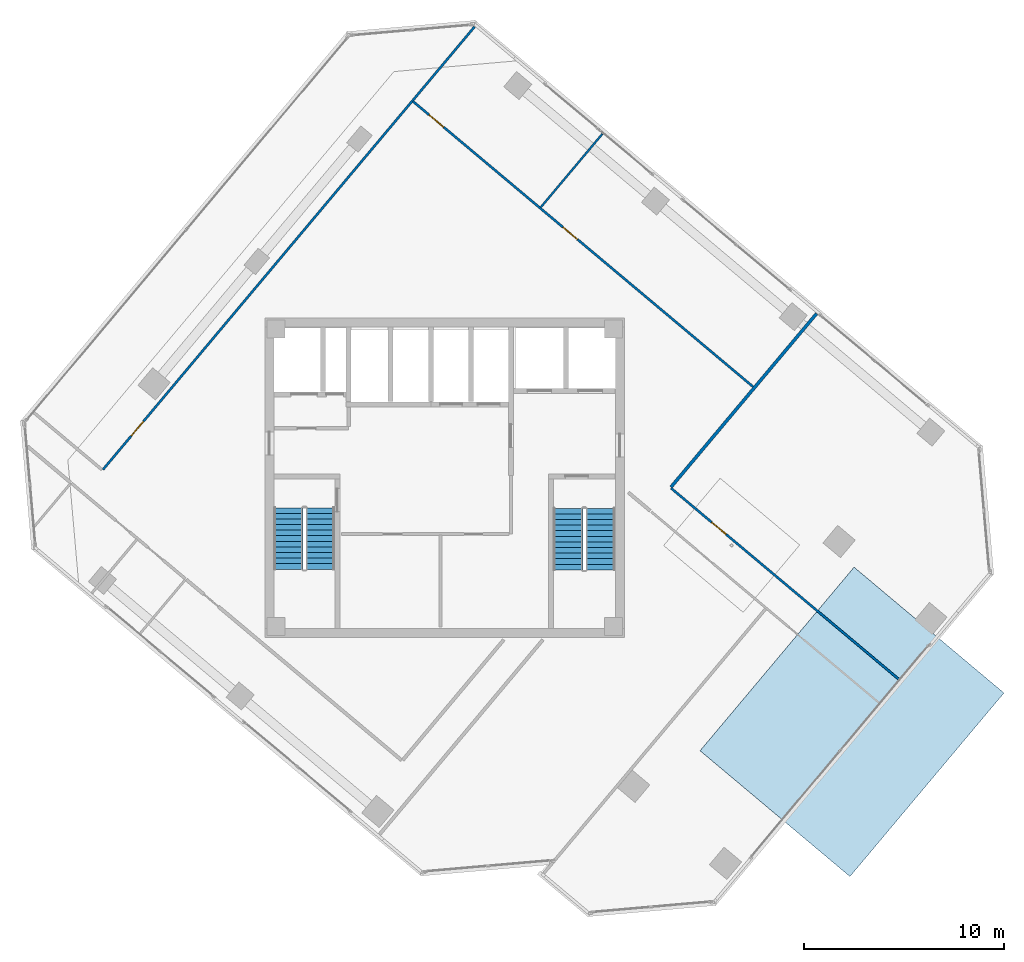
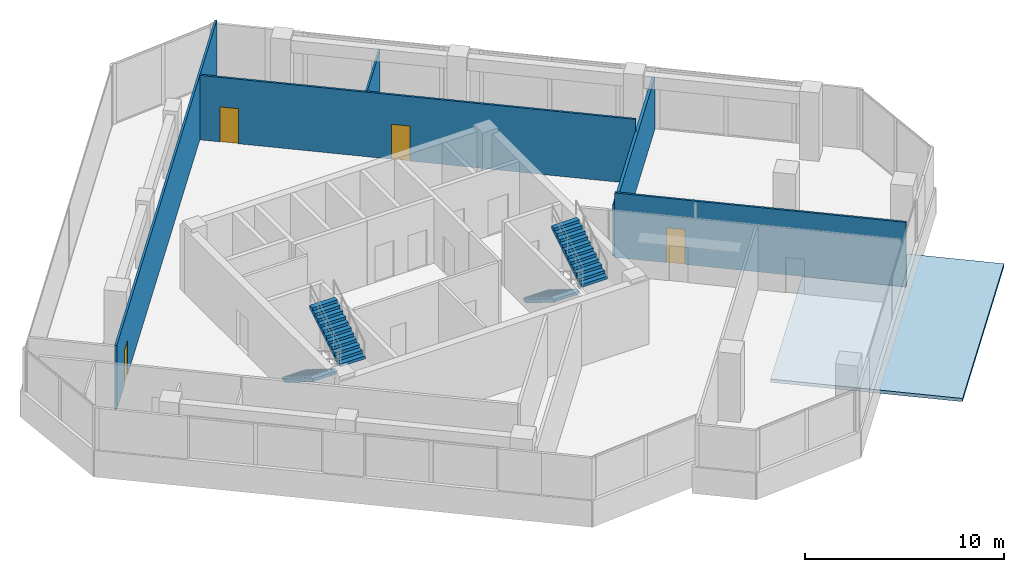
# One storey, part 13 of 17: 5 walls, 4 doors, 4 stair flights, 1 roof, 4 openings, 2 elements without a shape of their own.
"""IFC4 building model written with IfcOpenShell, lengths in metres."""

import ifcopenshell
import ifcopenshell.guid

model = None  # the IFC model being written
_history = None  # IfcOwnerHistory: only IFC2X3 demands one
_inside = {}  # id of a spatial element -> (the spatial element, [elements in it])
_under = {}  # id of a project, library or spatial element -> (it, [spatial elements below it])
_declared = {}  # id of a project -> (the project, [libraries it declares])
_typed = {}  # id of a type object -> (the type object, [elements of that type])
_made_of = {}  # id of a material, layer set ... -> (it, [elements and type objects made of it])


def new_model(schema):
    """Start an empty IFC model of exactly this schema.

    Asked for "IFC4X3", IfcOpenShell would pick the latest addendum, in which some entities
    have other attributes; the version numbers below select the first issue.
    IFC2X3 requires an IfcOwnerHistory on every rooted entity: one is made here for all.
    """
    global model, _history
    if schema == "IFC4X3":
        model = ifcopenshell.file(schema_version=(4, 3, 0, 0))
    else:
        model = ifcopenshell.file(schema=schema)
    _inside.clear()
    _under.clear()
    _declared.clear()
    _typed.clear()
    _made_of.clear()
    _history = None
    if model.schema == "IFC2X3":
        org = make("IfcOrganization", Name="unknown")
        user = make(
            "IfcPersonAndOrganization",
            ThePerson=make("IfcPerson", FamilyName="unknown"),
            TheOrganization=org,
        )
        app = make(
            "IfcApplication",
            ApplicationDeveloper=org,
            Version="unknown",
            ApplicationFullName="unknown",
            ApplicationIdentifier="unknown",
        )
        _history = make(
            "IfcOwnerHistory",
            OwningUser=user,
            OwningApplication=app,
            ChangeAction="ADDED",
            CreationDate=0,
        )
    return model


def make(cls, **values):
    """One entity of the class cls with the attributes given. An attribute that is None is left unset."""
    return model.create_entity(
        cls, **{name: value for name, value in values.items() if value is not None}
    )


def rooted(cls, **values):
    """An entity with a GlobalId (a new one), such as an element, a storey or a relation."""
    return make(cls, GlobalId=ifcopenshell.guid.new(), OwnerHistory=_history, **values)


def si_unit(unit_type, name, prefix=None):
    """IfcSIUnit, for example si_unit("LENGTHUNIT", "METRE", prefix="MILLI")."""
    return make("IfcSIUnit", UnitType=unit_type, Prefix=prefix, Name=name)


def assignment(units):
    """IfcUnitAssignment: the units of a project."""
    return None if units is None else make("IfcUnitAssignment", Units=units)


def point(xyz):
    """IfcCartesianPoint."""
    return None if xyz is None else make("IfcCartesianPoint", Coordinates=xyz)


def direction(xyz):
    """IfcDirection."""
    return None if xyz is None else make("IfcDirection", DirectionRatios=xyz)


def frame(location, z_axis=None, x_axis=None):
    """IfcAxis2Placement3D, a coordinate frame: its origin and axes. An axis left out is left unset."""
    return make(
        "IfcAxis2Placement3D",
        Location=point(location),
        Axis=direction(z_axis),
        RefDirection=direction(x_axis),
    )


def frame_2d(location, x_axis=None):
    """IfcAxis2Placement2D, a coordinate frame in the plane: its origin and x axis."""
    return make(
        "IfcAxis2Placement2D", Location=point(location), RefDirection=direction(x_axis)
    )


def origin():
    """The frame at (0, 0, 0) with its axes left unset."""
    return frame((0.0, 0.0, 0.0))


def place(relative_to, where):
    """IfcLocalPlacement: puts the frame where relative to a parent placement (None: the world)."""
    return make(
        "IfcLocalPlacement", PlacementRelTo=relative_to, RelativePlacement=where
    )


def context(
    kind, dimensions, precision=None, world=None, true_north=None, identifier=None
):
    """IfcGeometricRepresentationContext, for example the 3D "Model" context."""
    return make(
        "IfcGeometricRepresentationContext",
        ContextIdentifier=identifier,
        ContextType=kind,
        CoordinateSpaceDimension=dimensions,
        Precision=precision,
        WorldCoordinateSystem=world,
        TrueNorth=true_north,
    )


def subcontext(parent, identifier, kind, view, scale=None):
    """IfcGeometricRepresentationSubContext, for example "Body" below "Model"."""
    return make(
        "IfcGeometricRepresentationSubContext",
        ContextIdentifier=identifier,
        ContextType=kind,
        ParentContext=parent,
        TargetScale=scale,
        TargetView=view,
    )


def project(units=None, contexts=None):
    """IfcProject with its units and contexts."""
    return rooted(
        "IfcProject",
        Name="project",
        RepresentationContexts=contexts,
        UnitsInContext=assignment(units),
    )


def spatial(cls, under=None, at=None, **own):
    """A site, building, storey or space (cls), placed at a placement, below another one or the project."""
    s = rooted(cls, ObjectPlacement=at, **own)
    if under is not None:
        _under.setdefault(under.id(), (under, []))[1].append(s)
    return s


def polyline(points):
    """IfcPolyline through the points."""
    return make("IfcPolyline", Points=[point(p) for p in points])


def profile(cls, at=None, kind="AREA", **sizes):
    """A parametric profile (cls). Its sizes go by their IFC names, for example OverallWidth=200.0."""
    return make(cls, ProfileType=kind, Position=at, **sizes)


def rectangle(**sizes):
    """IfcRectangleProfileDef."""
    return profile("IfcRectangleProfileDef", **sizes)


def outline(outer, holes=None, kind="AREA"):
    """IfcArbitraryClosedProfileDef: a profile drawn as a closed curve; with holes, ...WithVoids."""
    if holes is None:
        return make("IfcArbitraryClosedProfileDef", ProfileType=kind, OuterCurve=outer)
    return make(
        "IfcArbitraryProfileDefWithVoids",
        ProfileType=kind,
        OuterCurve=outer,
        InnerCurves=holes,
    )


def extrude(swept, where, along, depth):
    """IfcExtrudedAreaSolid: the profile swept, set in the frame where, extruded along a direction by depth."""
    return make(
        "IfcExtrudedAreaSolid",
        SweptArea=swept,
        Position=where,
        ExtrudedDirection=direction(along),
        Depth=depth,
    )


def shape(context_of_items, identifier, shape_type, items):
    """IfcShapeRepresentation: the items that make up one representation, for example the "Body"."""
    return make(
        "IfcShapeRepresentation",
        ContextOfItems=context_of_items,
        RepresentationIdentifier=identifier,
        RepresentationType=shape_type,
        Items=items,
    )


def source(mapping_origin, context_of_items, identifier, shape_type, items):
    """IfcRepresentationMap: a shape defined once, which mapped items show again and again."""
    return make(
        "IfcRepresentationMap",
        MappingOrigin=mapping_origin,
        MappedRepresentation=shape(context_of_items, identifier, shape_type, items),
    )


def transform(
    local_origin,
    x_axis=None,
    y_axis=None,
    z_axis=None,
    scale=None,
    scale2=None,
    scale3=None,
    uniform=True,
):
    """IfcCartesianTransformationOperator3D, or its non-uniform kind. x_axis, y_axis, z_axis: its Axis1, 2, 3."""
    if uniform:
        return make(
            "IfcCartesianTransformationOperator3D",
            Axis1=direction(x_axis),
            Axis2=direction(y_axis),
            LocalOrigin=point(local_origin),
            Scale=scale,
            Axis3=direction(z_axis),
        )
    return make(
        "IfcCartesianTransformationOperator3DnonUniform",
        Axis1=direction(x_axis),
        Axis2=direction(y_axis),
        LocalOrigin=point(local_origin),
        Scale=scale,
        Axis3=direction(z_axis),
        Scale2=scale2,
        Scale3=scale3,
    )


def mapped(mapping_source, mapping_target):
    """IfcMappedItem: shows the shape of a source again, moved by a transform."""
    return make(
        "IfcMappedItem", MappingSource=mapping_source, MappingTarget=mapping_target
    )


def material(Name=None, Category=None):
    """IfcMaterial."""
    return make("IfcMaterial", Name=Name, Category=Category)


def layer(
    of_material, thickness, ventilated=None, Name=None, Category=None, Priority=None
):
    """IfcMaterialLayer: one layer of a wall or slab, of a material (None: an air gap)."""
    return make(
        "IfcMaterialLayer",
        Material=of_material,
        LayerThickness=thickness,
        IsVentilated=ventilated,
        Name=Name,
        Category=Category,
        Priority=Priority,
    )


def layer_set(layers, Name=None):
    """IfcMaterialLayerSet."""
    return make("IfcMaterialLayerSet", MaterialLayers=layers, LayerSetName=Name)


def made_of(thing, what):
    """Note that an element or type object is made of a material, layer set ...; save() writes the relation."""
    if what is not None:
        _made_of.setdefault(what.id(), (what, []))[1].append(thing)
    return thing


def type_object(cls, material=None, **own):
    """A type object (cls), such as IfcWallType, which elements share."""
    return made_of(rooted(cls, **own), material)


def element(
    cls,
    number,
    at=None,
    inside=None,
    cuts=None,
    type_object=None,
    material=None,
    context=None,
    identifier="Body",
    shape_type=None,
    held_by="IfcProductDefinitionShape",
    body=None,
    shapes=None,
    **own,
):
    """One element of the class cls, such as IfcWall. Its Tag is "e" and its number.

    at: its placement. inside: the storey or other place that contains it. cuts: it is an
    opening in that element (IfcRelVoidsElement). A single representation is given by context,
    identifier, shape_type and body (its items); several are given by shapes. held_by: the class
    of the entity that holds the representations. save() writes the other relations.
    """
    e = rooted(cls, Tag="e%d" % number, ObjectPlacement=at, **own)
    if body is not None:
        shapes = [shape(context, identifier, shape_type, body)]
    if shapes is not None:
        e.Representation = make(held_by, Representations=shapes)
    if inside is not None:
        _inside.setdefault(inside.id(), (inside, []))[1].append(e)
    if cuts is not None:
        rooted(
            "IfcRelVoidsElement", RelatingBuildingElement=cuts, RelatedOpeningElement=e
        )
    if type_object is not None:
        _typed.setdefault(type_object.id(), (type_object, []))[1].append(e)
    return made_of(e, material)


def fill(opening, filler):
    """IfcRelFillsElement: the door or window that sits in an opening."""
    return rooted(
        "IfcRelFillsElement",
        RelatingOpeningElement=opening,
        RelatedBuildingElement=filler,
    )


def aggregate(whole, parts):
    """IfcRelAggregates: a whole, such as a stair, and the parts it consists of."""
    return rooted("IfcRelAggregates", RelatingObject=whole, RelatedObjects=parts)


def save(model, path):
    """Write the relations noted so far, then the file.

    IfcRelAggregates (storeys below a building ...), IfcRelContainedInSpatialStructure (elements
    in a storey), IfcRelDefinesByType, IfcRelAssociatesMaterial and IfcRelDeclares: one each for
    every whole, place, type object, material and project.
    """
    for whole, parts in _under.values():
        aggregate(whole, parts)
    for where, things in _inside.values():
        rooted(
            "IfcRelContainedInSpatialStructure",
            RelatedElements=things,
            RelatingStructure=where,
        )
    for kind, things in _typed.values():
        rooted("IfcRelDefinesByType", RelatedObjects=things, RelatingType=kind)
    for what, things in _made_of.values():
        rooted("IfcRelAssociatesMaterial", RelatedObjects=things, RelatingMaterial=what)
    for by, libraries in _declared.values():
        rooted("IfcRelDeclares", RelatingContext=by, RelatedDefinitions=libraries)
    model.write(path)


model = new_model("IFC4")

# Units and contexts
model_context = context("Model", 3, precision=1e-05, world=origin(), true_north=direction((0.0, 1.0)))
body_context = subcontext(model_context, "Body", "Model", "MODEL_VIEW")
ifc_project = project(units=[si_unit("LENGTHUNIT", "METRE"), si_unit("AREAUNIT", "SQUARE_METRE"), si_unit("VOLUMEUNIT", "CUBIC_METRE"), si_unit("PLANEANGLEUNIT", "RADIAN"), si_unit("MASSUNIT", "GRAM", prefix="KILO")], contexts=[model_context])

# Site, building, storey
site_placement = place(None, origin())
site = spatial("IfcSite", under=ifc_project, at=site_placement, CompositionType="ELEMENT")
building_placement = place(site_placement, origin())
building = spatial("IfcBuilding", under=site, at=building_placement, Name="Torre Montelarca", CompositionType="ELEMENT")
storey_placement = place(building_placement, frame((0.0, 0.0, 220.60009765625)))
storey = spatial("IfcBuildingStorey", under=building, at=storey_placement, Name="L49", CompositionType="ELEMENT", Elevation=220.60009765625)

# Walls
ifc_material_1 = material(Name="Gypsum plasterboard on steel stud", Category="steel")
ifc_layer_1 = layer(ifc_material_1, 0.159912109375, Name="Gypsum plasterboard on steel stud", Category="steel")
ifc_layer_set_1 = layer_set([ifc_layer_1], Name="Gypsum plasterboard on steel stud")
wall_type_1 = type_object("IfcWallType", Name="PW-FIRE-160", PredefinedType="PARTITIONING", material=ifc_layer_set_1)
wall_1_placement = place(storey_placement, frame((29.334228515625, 31.535400390625, 0.0), z_axis=(0.0, 0.0, 1.0), x_axis=(0.642789592208, 0.766042779581, 0.0)))
element("IfcWall", 1, at=wall_1_placement, inside=storey, type_object=wall_type_1, Name="L49 Interior Partition W-L49-ECN", PredefinedType="PARTITIONING", context=body_context, shape_type="SweptSolid", body=[
    extrude(rectangle(XDim=11.340087890625, YDim=0.159912109375, at=frame_2d((5.669921875, 0.0))), origin(), (0.0, 0.0, 1.0), 3.19482421875),
])
ifc_material_2 = material(Name="Acoustic laminated glass partition", Category="glass")
ifc_layer_2 = layer(ifc_material_2, 0.10009765625, Name="Acoustic laminated glass partition", Category="glass")
ifc_layer_set_2 = layer_set([ifc_layer_2], Name="Acoustic laminated glass partition")
wall_type_2 = type_object("IfcWallType", Name="PW-GLAZ-100", PredefinedType="PARTITIONING", material=ifc_layer_set_2)
wall_2_placement = place(storey_placement, frame((22.80712890625, 45.536865234375, 0.0), z_axis=(0.0, 0.0, 1.0), x_axis=(0.642796794607, 0.766036735961, 0.0)))
element("IfcWall", 2, at=wall_2_placement, inside=storey, type_object=wall_type_2, Name="L49 Interior Partition W-L49-NDIV-1", PredefinedType="PARTITIONING", context=body_context, shape_type="SweptSolid", body=[
    extrude(rectangle(XDim=4.809814453125, YDim=0.10009765625, at=frame_2d((2.40478515625, 0.0))), origin(), (0.0, 0.0, 1.0), 3.19482421875),
])

# Wall, openings, doors
ifc_layer_3 = layer(ifc_material_1, 0.114990234375, Name="Gypsum plasterboard on steel stud", Category="steel")
ifc_layer_set_3 = layer_set([ifc_layer_3], Name="Gypsum plasterboard on steel stud")
wall_type_3 = type_object("IfcWallType", Name="PW-PART-115", PredefinedType="PARTITIONING", material=ifc_layer_set_3)
wall_3_placement = place(storey_placement, frame((16.41552734375, 50.847900390625, 0.0), z_axis=(0.0, 0.0, 1.0), x_axis=(0.766043174175, -0.642789121951, 0.0)))
wall_3 = element("IfcWall", 3, at=wall_3_placement, inside=storey, type_object=wall_type_3, Name="L49 Interior Partition W-L49-NBOT", PredefinedType="PARTITIONING", context=body_context, shape_type="SweptSolid", body=[
    extrude(rectangle(XDim=22.27001953125, YDim=0.114990234375, at=frame_2d((11.135009765625, 0.0))), origin(), (0.0, 0.0, 1.0), 3.9599609375),
])
opening_1_placement = place(wall_3_placement, frame((1.050048828125, 0.0, 0.0)))
opening_1 = element("IfcOpeningElement", 4, at=opening_1_placement, cuts=wall_3, Name="Opening ID-095", PredefinedType="OPENING", context=body_context, shape_type="SweptSolid", body=[
    extrude(rectangle(XDim=0.949951171875, YDim=2.14990234375, at=frame_2d((0.47509765625, 1.074951171875))), frame((0.0, 0.0673828125, 0.0), z_axis=(0.0, -1.0, 0.0), x_axis=(1.0, 0.0, 0.0)), (0.0, 0.0, 1.0), 0.135009765625),
])
opening_2_placement = place(wall_3_placement, frame((9.800048828125, 0.0, 0.0)))
opening_2 = element("IfcOpeningElement", 5, at=opening_2_placement, cuts=wall_3, Name="Opening ID-095", PredefinedType="OPENING", context=body_context, shape_type="SweptSolid", body=[
    extrude(rectangle(XDim=0.949951171875, YDim=2.14990234375, at=frame_2d((0.47509765625, 1.074951171875))), frame((0.0, 0.0673828125, 0.0), z_axis=(0.0, -1.0, 0.0), x_axis=(1.0, 0.0, 0.0)), (0.0, 0.0, 1.0), 0.135009765625),
])
ifc_material_3 = material(Name="Hardwood acoustic timber veneer", Category="wood")
door_type = type_object("IfcDoorType", Name="DR-INT-095", OperationType="NOTDEFINED", PredefinedType="DOOR", material=ifc_material_3)
shared_shape = source(origin(), body_context, "Body", "SweptSolid", [
    extrude(rectangle(XDim=0.949951171875, YDim=2.14990234375, at=frame_2d((0.47509765625, 1.074951171875))), frame((0.0, 0.02490234375, 0.0), z_axis=(0.0, -1.0, 0.0), x_axis=(1.0, 0.0, 0.0)), (0.0, 0.0, 1.0), 0.050048828125),
])
door_1_placement = place(opening_1_placement, origin())
door_1 = element("IfcDoor", 6, at=door_1_placement, inside=storey, type_object=door_type, Name="L49 Interior Door 07", OperationType="SINGLE_SWING_LEFT", OverallHeight=2.14990234375, OverallWidth=0.949951171875, PredefinedType="DOOR", context=body_context, shape_type="MappedRepresentation", body=[
    mapped(shared_shape, transform((0.0, 0.0, 0.0), scale=1.0)),
])
fill(opening_1, door_1)
door_2_placement = place(opening_2_placement, origin())
door_2 = element("IfcDoor", 7, at=door_2_placement, inside=storey, type_object=door_type, Name="L49 Interior Door 08", OperationType="SINGLE_SWING_RIGHT", OverallHeight=2.14990234375, OverallWidth=0.949951171875, PredefinedType="DOOR", context=body_context, shape_type="MappedRepresentation", body=[
    mapped(shared_shape, transform((0.0, 0.0, 0.0), scale=1.0)),
])
fill(opening_2, door_2)

# Wall, opening, door
wall_4_placement = place(storey_placement, frame((0.893798828125, 32.41162109375, 0.0), z_axis=(0.0, 0.0, 1.0), x_axis=(0.642782006196, 0.766049144971, 0.0)))
wall_4 = element("IfcWall", 8, at=wall_4_placement, inside=storey, type_object=wall_type_3, Name="L49 Interior Partition W-L49-WWGE", PredefinedType="PARTITIONING", context=body_context, shape_type="SweptSolid", body=[
    extrude(rectangle(XDim=28.9501953125, YDim=0.114990234375, at=frame_2d((14.47509765625, 0.0))), origin(), (0.0, 0.0, 1.0), 3.9599609375),
])
opening_3_placement = place(wall_4_placement, frame((2.199951171875, 0.0, 0.0)))
opening_3 = element("IfcOpeningElement", 9, at=opening_3_placement, cuts=wall_4, Name="Opening ID-095", PredefinedType="OPENING", context=body_context, shape_type="SweptSolid", body=[
    extrude(rectangle(XDim=0.949951171875, YDim=2.14990234375, at=frame_2d((0.47509765625, 1.074951171875))), frame((0.0, 0.0673828125, 0.0), z_axis=(0.0, -1.0, 0.0), x_axis=(1.0, 0.0, 0.0)), (0.0, 0.0, 1.0), 0.135009765625),
])
door_3_placement = place(opening_3_placement, origin())
door_3 = element("IfcDoor", 10, at=door_3_placement, inside=storey, type_object=door_type, Name="L49 Interior Door 09", OperationType="SINGLE_SWING_LEFT", OverallHeight=2.14990234375, OverallWidth=0.949951171875, PredefinedType="DOOR", context=body_context, shape_type="MappedRepresentation", body=[
    mapped(shared_shape, transform((0.0, 0.0, 0.0), scale=1.0)),
])
fill(opening_3, door_3)

wall_5_placement = place(storey_placement, frame((29.339111328125, 31.479248046875, 0.0), z_axis=(0.0, 0.0, 1.0), x_axis=(0.766048981681, -0.6427822008, 0.0)))
wall_5 = element("IfcWall", 11, at=wall_5_placement, inside=storey, type_object=wall_type_3, Name="L49 Interior Partition W-L49-NE-S", PredefinedType="PARTITIONING", context=body_context, shape_type="SweptSolid", body=[
    extrude(rectangle(XDim=14.880126953125, YDim=0.114990234375, at=frame_2d((7.43994140625, 0.0))), origin(), (0.0, 0.0, 1.0), 3.9599609375),
])
opening_4_placement = place(wall_5_placement, frame((2.64990234375, 0.0, 0.0)))
opening_4 = element("IfcOpeningElement", 12, at=opening_4_placement, cuts=wall_5, Name="Opening ID-095", PredefinedType="OPENING", context=body_context, shape_type="SweptSolid", body=[
    extrude(rectangle(XDim=0.949951171875, YDim=2.14990234375, at=frame_2d((0.47509765625, 1.074951171875))), frame((0.0, 0.0673828125, 0.0), z_axis=(0.0, -1.0, 0.0), x_axis=(1.0, 0.0, 0.0)), (0.0, 0.0, 1.0), 0.135009765625),
])
door_4_placement = place(opening_4_placement, origin())
door_4 = element("IfcDoor", 13, at=door_4_placement, inside=storey, type_object=door_type, Name="L49 Interior Door 10", OperationType="SINGLE_SWING_LEFT", OverallHeight=2.14990234375, OverallWidth=0.949951171875, PredefinedType="DOOR", context=body_context, shape_type="MappedRepresentation", body=[
    mapped(shared_shape, transform((0.0, 0.0, 0.0), scale=1.0)),
])
fill(opening_4, door_4)

# Stair, stair flights
ifc_material_4 = material(Name="Concrete C40/50", Category="concrete")
stair_type_1 = type_object("IfcStairType", Name="ST-CORE-ST1", PredefinedType="HALF_TURN_STAIR", material=ifc_material_4)
stair_1_placement = place(storey_placement, origin())
stair_1 = element("IfcStair", 14, at=stair_1_placement, inside=storey, type_object=stair_type_1, Name="L49 Protected Exit Stair ST1", PredefinedType="HALF_TURN_STAIR")
stair_flight_type_1 = type_object("IfcStairFlightType", Name="SFL-CORE-ST1", PredefinedType="STRAIGHT", material=ifc_material_4)
stair_flight_1_placement = place(storey_placement, frame((10.175048828125, 30.5, 0.0), z_axis=(0.0, 0.0, 1.0), x_axis=(0.0, -1.0, 0.0)))
stair_flight_1 = element("IfcStairFlight", 15, at=stair_flight_1_placement, type_object=stair_flight_type_1, Name="ST1 flight 1", NumberOfRisers=12, NumberOfTreads=11, PredefinedType="STRAIGHT", RiserHeight=0.175, TreadLength=0.28, context=body_context, shape_type="SweptSolid", body=[
    extrude(outline(polyline([(0.0, 0.0), (0.0, 0.175048828125), (0.280029296875, 0.175048828125), (0.280029296875, 0.35009765625), (0.56005859375, 0.35009765625), (0.56005859375, 0.52490234375), (0.840087890625, 0.52490234375), (0.840087890625, 0.699951171875), (1.1201171875, 0.699951171875), (1.1201171875, 0.875), (1.39990234375, 0.875), (1.39990234375, 1.050048828125), (1.679931640625, 1.050048828125), (1.679931640625, 1.22509765625), (1.9599609375, 1.22509765625), (1.9599609375, 1.39990234375), (2.239990234375, 1.39990234375), (2.239990234375, 1.574951171875), (2.52001953125, 1.574951171875), (2.52001953125, 1.75), (2.800048828125, 1.75), (2.800048828125, 1.925048828125), (3.080078125, 1.925048828125), (3.080078125, 2.10009765625), (3.080078125, 1.748291015625), (0.28271484375, 0.0), (0.0, 0.0)])), frame((0.0, 0.72509765625, 0.0), z_axis=(0.0, -1.0, 0.0), x_axis=(1.0, 0.0, 0.0)), (0.0, 0.0, 1.0), 1.449951171875),
])
stair_flight_2_placement = place(storey_placement, frame((11.77490234375, 27.419921875, 2.099853515625), z_axis=(0.0, 0.0, 1.0), x_axis=(0.0, 1.0, 0.0)))
stair_flight_2 = element("IfcStairFlight", 16, at=stair_flight_2_placement, type_object=stair_flight_type_1, Name="ST1 flight 2", NumberOfRisers=12, NumberOfTreads=11, PredefinedType="STRAIGHT", RiserHeight=0.175, TreadLength=0.28, context=body_context, shape_type="SweptSolid", body=[
    extrude(outline(polyline([(0.0, 0.0), (0.0, 0.175048828125), (0.280029296875, 0.175048828125), (0.280029296875, 0.35009765625), (0.56005859375, 0.35009765625), (0.56005859375, 0.52490234375), (0.840087890625, 0.52490234375), (0.840087890625, 0.699951171875), (1.1201171875, 0.699951171875), (1.1201171875, 0.875), (1.39990234375, 0.875), (1.39990234375, 1.050048828125), (1.679931640625, 1.050048828125), (1.679931640625, 1.22509765625), (1.9599609375, 1.22509765625), (1.9599609375, 1.39990234375), (2.239990234375, 1.39990234375), (2.239990234375, 1.574951171875), (2.52001953125, 1.574951171875), (2.52001953125, 1.75), (2.800048828125, 1.75), (2.800048828125, 1.925048828125), (3.080078125, 1.925048828125), (3.080078125, 2.10009765625), (3.080078125, 1.748291015625), (0.28271484375, 0.0), (0.0, 0.0)])), frame((0.0, 0.72509765625, 0.0), z_axis=(0.0, -1.0, 0.0), x_axis=(1.0, 0.0, 0.0)), (0.0, 0.0, 1.0), 1.449951171875),
])
aggregate(stair_1, [stair_flight_1, stair_flight_2])

stair_type_2 = type_object("IfcStairType", Name="ST-CORE-ST2", PredefinedType="HALF_TURN_STAIR", material=ifc_material_4)
stair_2_placement = place(storey_placement, origin())
stair_2 = element("IfcStair", 17, at=stair_2_placement, inside=storey, type_object=stair_type_2, Name="L49 Protected Exit Stair ST2", PredefinedType="HALF_TURN_STAIR")
stair_flight_type_2 = type_object("IfcStairFlightType", Name="SFL-CORE-ST2", PredefinedType="STRAIGHT", material=ifc_material_4)
stair_flight_3_placement = place(storey_placement, frame((24.179931640625, 30.469970703125, 0.0), z_axis=(0.0, 0.0, 1.0), x_axis=(0.0, -1.0, 0.0)))
stair_flight_3 = element("IfcStairFlight", 18, at=stair_flight_3_placement, type_object=stair_flight_type_2, Name="ST2 flight 1", NumberOfRisers=12, NumberOfTreads=11, PredefinedType="STRAIGHT", RiserHeight=0.175, TreadLength=0.28, context=body_context, shape_type="SweptSolid", body=[
    extrude(outline(polyline([(0.0, 0.0), (0.0, 0.175048828125), (0.280029296875, 0.175048828125), (0.280029296875, 0.35009765625), (0.56005859375, 0.35009765625), (0.56005859375, 0.52490234375), (0.840087890625, 0.52490234375), (0.840087890625, 0.699951171875), (1.1201171875, 0.699951171875), (1.1201171875, 0.875), (1.39990234375, 0.875), (1.39990234375, 1.050048828125), (1.679931640625, 1.050048828125), (1.679931640625, 1.22509765625), (1.9599609375, 1.22509765625), (1.9599609375, 1.39990234375), (2.239990234375, 1.39990234375), (2.239990234375, 1.574951171875), (2.52001953125, 1.574951171875), (2.52001953125, 1.75), (2.800048828125, 1.75), (2.800048828125, 1.925048828125), (3.080078125, 1.925048828125), (3.080078125, 2.10009765625), (3.080078125, 1.748291015625), (0.28271484375, 0.0), (0.0, 0.0)])), frame((0.0, 0.739990234375, 0.0), z_axis=(0.0, -1.0, 0.0), x_axis=(1.0, 0.0, 0.0)), (0.0, 0.0, 1.0), 1.47998046875),
])
stair_flight_4_placement = place(storey_placement, frame((25.81005859375, 27.389892578125, 2.099853515625), z_axis=(0.0, 0.0, 1.0), x_axis=(0.0, 1.0, 0.0)))
stair_flight_4 = element("IfcStairFlight", 19, at=stair_flight_4_placement, type_object=stair_flight_type_2, Name="ST2 flight 2", NumberOfRisers=12, NumberOfTreads=11, PredefinedType="STRAIGHT", RiserHeight=0.175, TreadLength=0.28, context=body_context, shape_type="SweptSolid", body=[
    extrude(outline(polyline([(0.0, 0.0), (0.0, 0.175048828125), (0.280029296875, 0.175048828125), (0.280029296875, 0.35009765625), (0.56005859375, 0.35009765625), (0.56005859375, 0.52490234375), (0.840087890625, 0.52490234375), (0.840087890625, 0.699951171875), (1.1201171875, 0.699951171875), (1.1201171875, 0.875), (1.39990234375, 0.875), (1.39990234375, 1.050048828125), (1.679931640625, 1.050048828125), (1.679931640625, 1.22509765625), (1.9599609375, 1.22509765625), (1.9599609375, 1.39990234375), (2.239990234375, 1.39990234375), (2.239990234375, 1.574951171875), (2.52001953125, 1.574951171875), (2.52001953125, 1.75), (2.800048828125, 1.75), (2.800048828125, 1.925048828125), (3.080078125, 1.925048828125), (3.080078125, 2.10009765625), (3.080078125, 1.748291015625), (0.28271484375, 0.0), (0.0, 0.0)])), frame((0.0, 0.739990234375, 0.0), z_axis=(0.0, -1.0, 0.0), x_axis=(1.0, 0.0, 0.0)), (0.0, 0.0, 1.0), 1.47998046875),
])
aggregate(stair_2, [stair_flight_3, stair_flight_4])

# Roof
ifc_material_5 = material(Name="Precast concrete C45/55", Category="concrete")
ifc_layer_4 = layer(ifc_material_5, 0.199951171875, Name="Precast concrete C45/55", Category="concrete")
ifc_layer_set_4 = layer_set([ifc_layer_4], Name="Precast concrete C45/55")
roof_type = type_object("IfcRoofType", Name="RF-CANOPY-200", PredefinedType="FLAT_ROOF", material=ifc_layer_set_4)
roof_placement = place(storey_placement, frame((0.0, 0.0, -0.239990234375)))
element("IfcRoof", 20, at=roof_placement, inside=storey, type_object=roof_type, Name="L48 Sky Terrace Shaded Terracotta Canopy", PredefinedType="FLAT_ROOF", context=body_context, shape_type="SweptSolid", body=[
    extrude(outline(polyline([(30.78759765625, 18.33251953125), (38.294921875, 12.033203125), (46.00830078125, 21.2255859375), (38.5009765625, 27.52490234375), (30.78759765625, 18.33251953125)])), origin(), (0.0, 0.0, 1.0), 0.199951171875),
])

save(model, "model.ifc")
